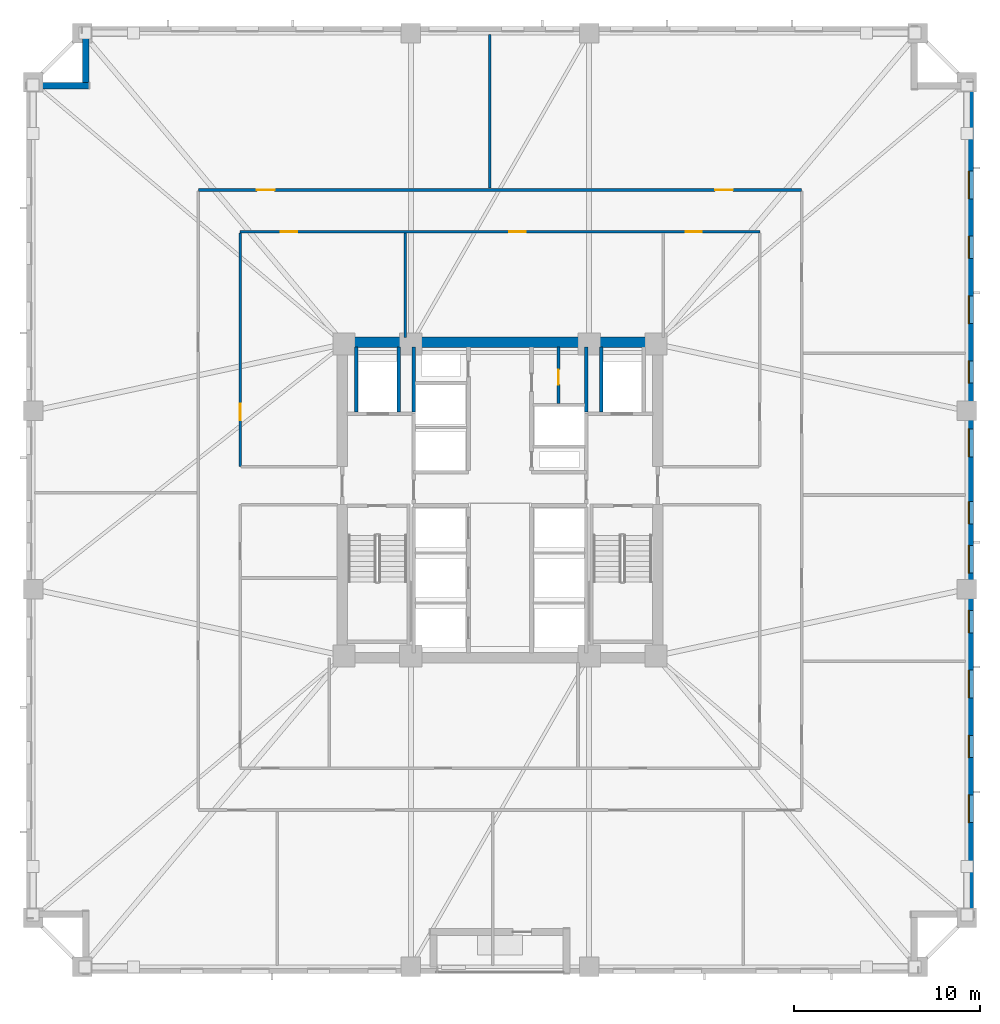
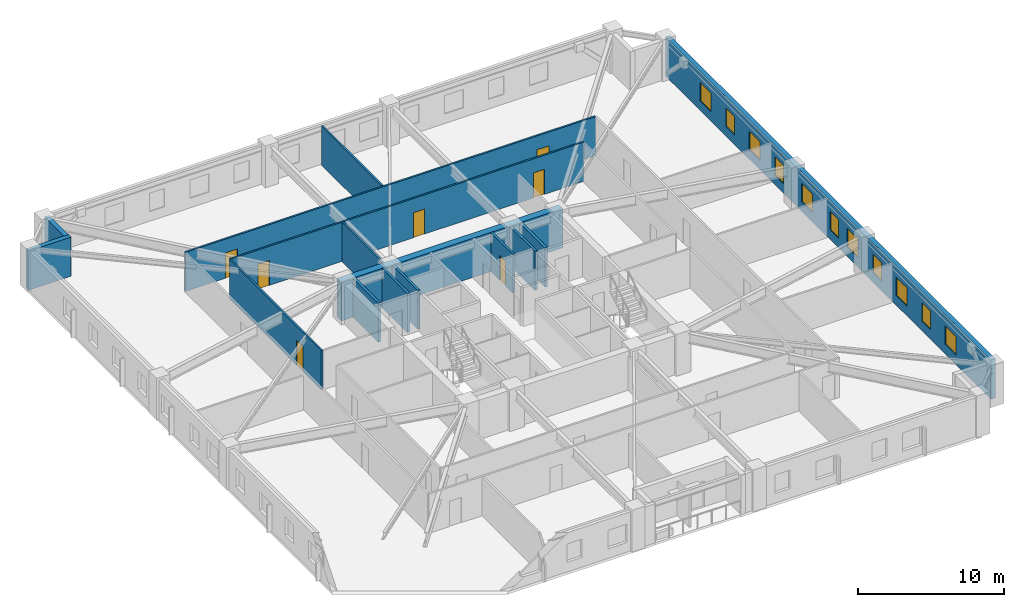
# One storey, part 5 of 11: 15 walls, 11 windows, 7 doors, 18 openings.
"""IFC4 building model written with IfcOpenShell, lengths in metres."""

from ifc_helpers import new_model, si_unit, direction, frame, frame_2d, origin, place, context, subcontext, project, spatial, rectangle, extrude, material, layer, layer_set, type_object, element, fill, save


model = new_model("IFC4")

# Units and contexts
model_context = context("Model", 3, precision=1e-05, world=origin(), true_north=direction((0.0, 1.0)))
body_context = subcontext(model_context, "Body", "Model", "MODEL_VIEW")
ifc_project = project(units=[si_unit("LENGTHUNIT", "METRE"), si_unit("AREAUNIT", "SQUARE_METRE"), si_unit("VOLUMEUNIT", "CUBIC_METRE"), si_unit("PLANEANGLEUNIT", "RADIAN"), si_unit("MASSUNIT", "GRAM", prefix="KILO")], contexts=[model_context])

# Site, building, storey
site_placement = place(None, origin())
site = spatial("IfcSite", under=ifc_project, at=site_placement, CompositionType="ELEMENT")
building_placement = place(site_placement, origin())
building = spatial("IfcBuilding", under=site, at=building_placement, Name="Cairnveth Concourse Tower", CompositionType="ELEMENT")
storey_placement = place(building_placement, frame((0.0, 0.0, 37.5)))
storey = spatial("IfcBuildingStorey", under=building, at=storey_placement, Name="L09", CompositionType="ELEMENT", Elevation=37.5)

# Wall, opening, door
ifc_material_1 = material(Name="Gypsum Plasterboard Partition", Category="gypsum")
ifc_layer_1 = layer(ifc_material_1, 0.159912109375)
ifc_layer_set_1 = layer_set([ifc_layer_1], Name="Gypsum Plasterboard Partition")
wall_type_1 = type_object("IfcWallType", Name="ACOUSTIC PARTY WALL 180", PredefinedType="PARTITIONING", material=ifc_layer_set_1)
wall_1_placement = place(storey_placement, frame((55.14990234375, 44.195068359375, 0.0), z_axis=(0.0, 0.0, 1.0), x_axis=(0.0, 1.0, 0.0)))
wall_1 = element("IfcWall", 1, at=wall_1_placement, inside=storey, type_object=wall_type_1, Name="Interior Wall IW-L09-037", PredefinedType="PARTITIONING", context=body_context, shape_type="SweptSolid", body=[
    extrude(rectangle(XDim=3.044921875, YDim=0.159912109375, at=frame_2d((1.5224609375, 0.0))), origin(), (0.0, 0.0, 1.0), 3.280029296875),
])
opening_1_placement = place(wall_1_placement, frame((1.02490234375, 0.0, 0.0)))
opening_1 = element("IfcOpeningElement", 2, at=opening_1_placement, cuts=wall_1, Name="Opening ID23", PredefinedType="OPENING", context=body_context, shape_type="SweptSolid", body=[
    extrude(rectangle(XDim=0.800048828125, YDim=2.10009765625, at=frame_2d((0.39990234375, 1.050048828125))), frame((0.0, 0.08984375, 0.0), z_axis=(0.0, -1.0, 0.0), x_axis=(1.0, 0.0, 0.0)), (0.0, 0.0, 1.0), 0.179931640625),
])
ifc_material_2 = material(Name="Steel Grade 350", Category="steel")
door_type_1 = type_object("IfcDoorType", Name="CORE SERVICE DOOR 800X2100", OperationType="NOTDEFINED", PredefinedType="DOOR", material=ifc_material_2)
door_1_placement = place(opening_1_placement, origin())
door_1 = element("IfcDoor", 3, at=door_1_placement, inside=storey, type_object=door_type_1, Name="NE Linen Closet Door L09", OperationType="SINGLE_SWING_LEFT", OverallHeight=2.10009765625, OverallWidth=0.800048828125, PredefinedType="DOOR", context=body_context, shape_type="SweptSolid", body=[
    extrude(rectangle(XDim=0.800048828125, YDim=2.10009765625, at=frame_2d((0.39990234375, 1.050048828125))), frame((0.0, 0.02490234375, 0.0), z_axis=(0.0, -1.0, 0.0), x_axis=(1.0, 0.0, 0.0)), (0.0, 0.0, 1.0), 0.050048828125),
])
fill(opening_1, door_1)

# Walls
ifc_material_3 = material(Name="Concrete N80 (80 MPa)", Category="concrete")
ifc_layer_2 = layer(ifc_material_3, 0.550048828125)
ifc_layer_set_2 = layer_set([ifc_layer_2], Name="Concrete N80 (80 MPa)")
wall_type_2 = type_object("IfcWallType", Name="CORE SHEAR WALL 550", PredefinedType="SHEAR", material=ifc_layer_set_2)
wall_2_placement = place(storey_placement, frame((43.22509765625, 47.5, 0.0), z_axis=(0.0, 0.0, 1.0), x_axis=(1.0, 0.0, 0.0)))
element("IfcWall", 4, at=wall_2_placement, inside=storey, type_object=wall_type_2, Name="Core North Shear Wall L09", PredefinedType="SHEAR", context=body_context, shape_type="SweptSolid", body=[
    extrude(rectangle(XDim=17.5498046875, YDim=0.550048828125, at=frame_2d((8.77490234375, 0.0))), origin(), (0.0, 0.0, 1.0), 3.280029296875),
])
ifc_material_4 = material(Name="Concrete N50 (50 MPa)", Category="concrete")
ifc_layer_3 = layer(ifc_material_4, 0.179931640625)
ifc_layer_set_3 = layer_set([ifc_layer_3], Name="Concrete N50 (50 MPa)")
wall_type_3 = type_object("IfcWallType", Name="FIRE SHAFT WALL 180", PredefinedType="SOLIDWALL", material=ifc_layer_set_3)
for number, where, z_axis, x_axis, name in (
    (5, (47.35009765625, 43.735107421875, 0.0), (0.0, 0.0, 1.0), (0.0, 1.0, 0.0), "Interior Wall IW-L09-031"),
    (6, (56.64990234375, 43.735107421875, 0.0), (0.0, 0.0, 1.0), (0.0, 1.0, 0.0), "Interior Wall IW-L09-034"),
):
    element("IfcWall", number, at=place(storey_placement, frame(where, z_axis=z_axis, x_axis=x_axis)), inside=storey, type_object=wall_type_3, Name=name, PredefinedType="SOLIDWALL", context=body_context, shape_type="SweptSolid", body=[
        extrude(rectangle(XDim=3.5048828125, YDim=0.179931640625, at=frame_2d((1.75244140625, 0.0))), origin(), (0.0, 0.0, 1.0), 3.280029296875),
    ])
ifc_layer_4 = layer(ifc_material_4, 0.199951171875)
ifc_layer_set_4 = layer_set([ifc_layer_4], Name="Concrete N50 (50 MPa)")
wall_type_4 = type_object("IfcWallType", Name="FIRE SHAFT WALL 200", PredefinedType="SOLIDWALL", material=ifc_layer_set_4)
for number, where, z_axis, x_axis, name in (
    (7, (46.550048828125, 43.735107421875, 0.0), (0.0, 0.0, 1.0), (0.0, 1.0, 0.0), "Interior Wall IW-L09-018"),
    (8, (44.25, 43.735107421875, 0.0), (0.0, 0.0, 1.0), (0.0, 1.0, 0.0), "Interior Wall IW-L09-019"),
    (9, (57.449951171875, 43.735107421875, 0.0), (0.0, 0.0, 1.0), (0.0, 1.0, 0.0), "Interior Wall IW-L09-023"),
):
    element("IfcWall", number, at=place(storey_placement, frame(where, z_axis=z_axis, x_axis=x_axis)), inside=storey, type_object=wall_type_4, Name=name, PredefinedType="SOLIDWALL", context=body_context, shape_type="SweptSolid", body=[
        extrude(rectangle(XDim=3.5048828125, YDim=0.199951171875, at=frame_2d((1.75244140625, 0.0))), origin(), (0.0, 0.0, 1.0), 3.280029296875),
    ])

# Wall, openings, doors
ifc_layer_5 = layer(ifc_material_1, 0.139892578125)
ifc_layer_set_5 = layer_set([ifc_layer_5], Name="Gypsum Plasterboard Partition")
wall_type_5 = type_object("IfcWallType", Name="GYPSUM STUD PARTITION 140", PredefinedType="PARTITIONING", material=ifc_layer_set_5)
wall_3_placement = place(storey_placement, frame((35.75, 55.699951171875, 0.0), z_axis=(0.0, 0.0, 1.0), x_axis=(1.0, 0.0, 0.0)))
wall_3 = element("IfcWall", 10, at=wall_3_placement, inside=storey, type_object=wall_type_5, Name="Interior Wall IW-L09-039", PredefinedType="PARTITIONING", context=body_context, shape_type="SweptSolid", body=[
    extrude(rectangle(XDim=32.5, YDim=0.139892578125, at=frame_2d((16.25, 0.0))), origin(), (0.0, 0.0, 1.0), 3.280029296875),
])
opening_2_placement = place(wall_3_placement, frame((3.15380859375, 0.0, 0.0)))
opening_2 = element("IfcOpeningElement", 11, at=opening_2_placement, cuts=wall_3, Name="Opening ID11", PredefinedType="OPENING", context=body_context, shape_type="SweptSolid", body=[
    extrude(rectangle(XDim=0.9599609375, YDim=2.1201171875, at=frame_2d((0.47998046875, 1.06005859375))), frame((0.0, 0.079833984375, 0.0), z_axis=(0.0, -1.0, 0.0), x_axis=(1.0, 0.0, 0.0)), (0.0, 0.0, 1.0), 0.159912109375),
])
opening_3_placement = place(wall_3_placement, frame((27.833740234375, 0.0, 0.0)))
opening_3 = element("IfcOpeningElement", 12, at=opening_3_placement, cuts=wall_3, Name="Opening ID11", PredefinedType="OPENING", context=body_context, shape_type="SweptSolid", body=[
    extrude(rectangle(XDim=0.9599609375, YDim=2.1201171875, at=frame_2d((0.47998046875, 1.06005859375))), frame((0.0, 0.079833984375, 0.0), z_axis=(0.0, -1.0, 0.0), x_axis=(1.0, 0.0, 0.0)), (0.0, 0.0, 1.0), 0.159912109375),
])
ifc_material_5 = material(Name="Solid Core Hardwood Timber Leaf", Category="wood")
door_type_2 = type_object("IfcDoorType", Name="INTERIOR SINGLE DOOR 960X2150", OperationType="NOTDEFINED", PredefinedType="DOOR", material=ifc_material_5)
door_2_placement = place(opening_2_placement, origin())
door_2 = element("IfcDoor", 13, at=door_2_placement, inside=storey, type_object=door_type_2, Name="Office Door L09-N1", OperationType="SINGLE_SWING_LEFT", OverallHeight=2.1201171875, OverallWidth=0.9599609375, PredefinedType="DOOR", context=body_context, shape_type="SweptSolid", body=[
    extrude(rectangle(XDim=0.9599609375, YDim=2.1201171875, at=frame_2d((0.47998046875, 1.06005859375))), frame((0.0, 0.02490234375, 0.0), z_axis=(0.0, -1.0, 0.0), x_axis=(1.0, 0.0, 0.0)), (0.0, 0.0, 1.0), 0.050048828125),
])
fill(opening_2, door_2)
door_3_placement = place(opening_3_placement, origin())
door_3 = element("IfcDoor", 14, at=door_3_placement, inside=storey, type_object=door_type_2, Name="Office Door L09-N2", OperationType="SINGLE_SWING_RIGHT", OverallHeight=2.1201171875, OverallWidth=0.9599609375, PredefinedType="DOOR", context=body_context, shape_type="SweptSolid", body=[
    extrude(rectangle(XDim=0.9599609375, YDim=2.1201171875, at=frame_2d((0.47998046875, 1.06005859375))), frame((0.0, 0.02490234375, 0.0), z_axis=(0.0, -1.0, 0.0), x_axis=(1.0, 0.0, 0.0)), (0.0, 0.0, 1.0), 0.050048828125),
])
fill(opening_3, door_3)

wall_4_placement = place(storey_placement, frame((38.0, 53.449951171875, 0.0), z_axis=(0.0, 0.0, 1.0), x_axis=(1.0, 0.0, 0.0)))
wall_4 = element("IfcWall", 15, at=wall_4_placement, inside=storey, type_object=wall_type_5, Name="Interior Wall IW-L09-043", PredefinedType="PARTITIONING", context=body_context, shape_type="SweptSolid", body=[
    extrude(rectangle(XDim=28.0, YDim=0.139892578125, at=frame_2d((14.0, 0.0))), origin(), (0.0, 0.0, 1.0), 3.280029296875),
])
opening_4_placement = place(wall_4_placement, frame((2.199951171875, 0.0, 0.0)))
opening_4 = element("IfcOpeningElement", 16, at=opening_4_placement, cuts=wall_4, Name="Opening ID18", PredefinedType="OPENING", context=body_context, shape_type="SweptSolid", body=[
    extrude(rectangle(XDim=0.8798828125, YDim=2.10009765625, at=frame_2d((0.43994140625, 1.050048828125))), frame((0.0, 0.079833984375, 0.0), z_axis=(0.0, -1.0, 0.0), x_axis=(1.0, 0.0, 0.0)), (0.0, 0.0, 1.0), 0.159912109375),
])
opening_5_placement = place(wall_4_placement, frame((14.5, 0.0, 0.0)))
opening_5 = element("IfcOpeningElement", 17, at=opening_5_placement, cuts=wall_4, Name="Opening ID18", PredefinedType="OPENING", context=body_context, shape_type="SweptSolid", body=[
    extrude(rectangle(XDim=0.8798828125, YDim=2.10009765625, at=frame_2d((0.43994140625, 1.050048828125))), frame((0.0, 0.079833984375, 0.0), z_axis=(0.0, -1.0, 0.0), x_axis=(1.0, 0.0, 0.0)), (0.0, 0.0, 1.0), 0.159912109375),
])
opening_6_placement = place(wall_4_placement, frame((24.0, 0.0, 0.0)))
opening_6 = element("IfcOpeningElement", 18, at=opening_6_placement, cuts=wall_4, Name="Opening ID18", PredefinedType="OPENING", context=body_context, shape_type="SweptSolid", body=[
    extrude(rectangle(XDim=0.8798828125, YDim=2.10009765625, at=frame_2d((0.43994140625, 1.050048828125))), frame((0.0, 0.079833984375, 0.0), z_axis=(0.0, -1.0, 0.0), x_axis=(1.0, 0.0, 0.0)), (0.0, 0.0, 1.0), 0.159912109375),
])
door_type_3 = type_object("IfcDoorType", Name="INTERIOR SINGLE DOOR 880X2100", OperationType="NOTDEFINED", PredefinedType="DOOR", material=ifc_material_5)
door_4_placement = place(opening_4_placement, origin())
door_4 = element("IfcDoor", 19, at=door_4_placement, inside=storey, type_object=door_type_3, Name="Interior Door DR-L09-017", OperationType="SINGLE_SWING_LEFT", OverallHeight=2.10009765625, OverallWidth=0.8798828125, PredefinedType="DOOR", context=body_context, shape_type="SweptSolid", body=[
    extrude(rectangle(XDim=0.8798828125, YDim=2.10009765625, at=frame_2d((0.43994140625, 1.050048828125))), frame((0.0, 0.02490234375, 0.0), z_axis=(0.0, -1.0, 0.0), x_axis=(1.0, 0.0, 0.0)), (0.0, 0.0, 1.0), 0.050048828125),
])
fill(opening_4, door_4)
door_5_placement = place(opening_5_placement, origin())
door_5 = element("IfcDoor", 20, at=door_5_placement, inside=storey, type_object=door_type_3, Name="Interior Door DR-L09-018", OperationType="SINGLE_SWING_RIGHT", OverallHeight=2.10009765625, OverallWidth=0.8798828125, PredefinedType="DOOR", context=body_context, shape_type="SweptSolid", body=[
    extrude(rectangle(XDim=0.8798828125, YDim=2.10009765625, at=frame_2d((0.43994140625, 1.050048828125))), frame((0.0, 0.02490234375, 0.0), z_axis=(0.0, -1.0, 0.0), x_axis=(1.0, 0.0, 0.0)), (0.0, 0.0, 1.0), 0.050048828125),
])
fill(opening_5, door_5)
door_6_placement = place(opening_6_placement, origin())
door_6 = element("IfcDoor", 21, at=door_6_placement, inside=storey, type_object=door_type_3, Name="Interior Door DR-L09-019", OperationType="SINGLE_SWING_LEFT", OverallHeight=2.10009765625, OverallWidth=0.8798828125, PredefinedType="DOOR", context=body_context, shape_type="SweptSolid", body=[
    extrude(rectangle(XDim=0.8798828125, YDim=2.10009765625, at=frame_2d((0.43994140625, 1.050048828125))), frame((0.0, 0.02490234375, 0.0), z_axis=(0.0, -1.0, 0.0), x_axis=(1.0, 0.0, 0.0)), (0.0, 0.0, 1.0), 0.050048828125),
])
fill(opening_6, door_6)

# Wall, opening, door
wall_5_placement = place(storey_placement, frame((38.0, 40.800048828125, 0.0), z_axis=(0.0, 0.0, 1.0), x_axis=(0.0, 1.0, 0.0)))
wall_5 = element("IfcWall", 22, at=wall_5_placement, inside=storey, type_object=wall_type_5, Name="Interior Wall IW-L09-045", PredefinedType="PARTITIONING", context=body_context, shape_type="SweptSolid", body=[
    extrude(rectangle(XDim=12.594970703125, YDim=0.139892578125, at=frame_2d((6.29736328125, 0.0))), origin(), (0.0, 0.0, 1.0), 3.280029296875),
])
opening_7_placement = place(wall_5_placement, frame((2.5, 0.0, 0.0)))
opening_7 = element("IfcOpeningElement", 23, at=opening_7_placement, cuts=wall_5, Name="Opening ID18", PredefinedType="OPENING", context=body_context, shape_type="SweptSolid", body=[
    extrude(rectangle(XDim=0.8798828125, YDim=2.10009765625, at=frame_2d((0.43994140625, 1.050048828125))), frame((0.0, 0.079833984375, 0.0), z_axis=(0.0, -1.0, 0.0), x_axis=(1.0, 0.0, 0.0)), (0.0, 0.0, 1.0), 0.159912109375),
])
door_7_placement = place(opening_7_placement, origin())
door_7 = element("IfcDoor", 24, at=door_7_placement, inside=storey, type_object=door_type_3, Name="Interior Door DR-L09-022", OperationType="SINGLE_SWING_RIGHT", OverallHeight=2.10009765625, OverallWidth=0.8798828125, PredefinedType="DOOR", context=body_context, shape_type="SweptSolid", body=[
    extrude(rectangle(XDim=0.8798828125, YDim=2.10009765625, at=frame_2d((0.43994140625, 1.050048828125))), frame((0.0, 0.02490234375, 0.0), z_axis=(0.0, -1.0, 0.0), x_axis=(1.0, 0.0, 0.0)), (0.0, 0.0, 1.0), 0.050048828125),
])
fill(opening_7, door_7)

# Walls
wall_6_placement = place(storey_placement, frame((46.89990234375, 47.760009765625, 0.0), z_axis=(0.0, 0.0, 1.0), x_axis=(0.0, 1.0, 0.0)))
element("IfcWall", 25, at=wall_6_placement, inside=storey, type_object=wall_type_5, Name="Interior Wall IW-L09-054", PredefinedType="PARTITIONING", context=body_context, shape_type="SweptSolid", body=[
    extrude(rectangle(XDim=5.635009765625, YDim=0.139892578125, at=frame_2d((2.8173828125, 0.0))), origin(), (0.0, 0.0, 1.0), 3.280029296875),
])
wall_7_placement = place(storey_placement, frame((51.447509765625, 55.800048828125, 0.0), z_axis=(0.0, 0.0, 1.0), x_axis=(0.0, 1.0, 0.0)))
element("IfcWall", 26, at=wall_7_placement, inside=storey, type_object=wall_type_5, Name="Interior Wall IW-L09-060", PredefinedType="PARTITIONING", context=body_context, shape_type="SweptSolid", body=[
    extrude(rectangle(XDim=8.280029296875, YDim=0.139892578125, at=frame_2d((4.14013671875, 0.0))), origin(), (0.0, 0.0, 1.0), 3.280029296875),
])
ifc_material_6 = material(Name="Hawthorn Red-Ochre Fired Clay Brick Masonry", Category="masonry")
ifc_layer_6 = layer(ifc_material_6, 0.360107421875)
ifc_layer_set_6 = layer_set([ifc_layer_6], Name="Hawthorn Red-Ochre Fired Clay Brick Masonry")
wall_type_6 = type_object("IfcWallType", Name="ZONE 1 BRICK PIER SPANDREL WALL 360", PredefinedType="SOLIDWALL", material=ifc_layer_set_6)
wall_8_placement = place(storey_placement, frame((26.5, 61.320068359375, 0.0), z_axis=(0.0, 0.0, 1.0), x_axis=(1.0, 0.0, 0.0)))
element("IfcWall", 27, at=wall_8_placement, inside=storey, type_object=wall_type_6, Name="Exterior Wall EW-L09-S04", PredefinedType="SOLIDWALL", context=body_context, shape_type="SweptSolid", body=[
    extrude(rectangle(XDim=3.360107421875, YDim=0.360107421875, at=frame_2d((1.68017578125, 0.0))), origin(), (0.0, 0.0, 1.0), 3.280029296875),
])
wall_9_placement = place(storey_placement, frame((29.679931640625, 61.47802734375, 0.0), z_axis=(0.0, 0.0, 1.0), x_axis=(0.0, 1.0, 0.0)))
element("IfcWall", 28, at=wall_9_placement, inside=storey, type_object=wall_type_6, Name="Exterior Wall EW-L09-S05", PredefinedType="SOLIDWALL", context=body_context, shape_type="SweptSolid", body=[
    extrude(rectangle(XDim=2.68408203125, YDim=0.360107421875, at=frame_2d((1.342041015625, 0.0))), origin(), (0.0, 0.0, 1.0), 3.280029296875),
])

# Wall, openings, windows
wall_10_placement = place(storey_placement, frame((77.320068359375, 61.5, 0.0), z_axis=(0.0, 0.0, 1.0), x_axis=(0.0, -1.0, 0.0)))
wall_10 = element("IfcWall", 29, at=wall_10_placement, inside=storey, type_object=wall_type_6, Name="Exterior Wall EW-L09-S09", PredefinedType="SOLIDWALL", context=body_context, shape_type="SweptSolid", body=[
    extrude(rectangle(XDim=44.662109375, YDim=0.360107421875, at=frame_2d((22.3310546875, 0.0))), origin(), (0.0, 0.0, 1.0), 3.280029296875),
])
opening_8_placement = place(wall_10_placement, frame((4.780029296875, 0.0, 0.800048828125)))
opening_8 = element("IfcOpeningElement", 30, at=opening_8_placement, cuts=wall_10, Name="Opening W03", PredefinedType="OPENING", context=body_context, shape_type="SweptSolid", body=[
    extrude(rectangle(XDim=1.5, YDim=1.5439453125, at=frame_2d((0.75, 0.77197265625))), frame((0.0, 0.18994140625, 0.0), z_axis=(0.0, -1.0, 0.0), x_axis=(1.0, 0.0, 0.0)), (0.0, 0.0, 1.0), 0.380126953125),
])
opening_9_placement = place(wall_10_placement, frame((8.290283203125, 0.0, 0.800048828125)))
opening_9 = element("IfcOpeningElement", 31, at=opening_9_placement, cuts=wall_10, Name="Opening W01", PredefinedType="OPENING", context=body_context, shape_type="SweptSolid", body=[
    extrude(rectangle(XDim=1.199951171875, YDim=1.5439453125, at=frame_2d((0.60009765625, 0.77197265625))), frame((0.0, 0.18994140625, 0.0), z_axis=(0.0, -1.0, 0.0), x_axis=(1.0, 0.0, 0.0)), (0.0, 0.0, 1.0), 0.380126953125),
])
opening_10_placement = place(wall_10_placement, frame((11.50048828125, 0.0, 0.800048828125)))
opening_10 = element("IfcOpeningElement", 32, at=opening_10_placement, cuts=wall_10, Name="Opening W03", PredefinedType="OPENING", context=body_context, shape_type="SweptSolid", body=[
    extrude(rectangle(XDim=1.5, YDim=1.5439453125, at=frame_2d((0.75, 0.77197265625))), frame((0.0, 0.18994140625, 0.0), z_axis=(0.0, -1.0, 0.0), x_axis=(1.0, 0.0, 0.0)), (0.0, 0.0, 1.0), 0.380126953125),
])
opening_11_placement = place(wall_10_placement, frame((15.010498046875, 0.0, 0.800048828125)))
opening_11 = element("IfcOpeningElement", 33, at=opening_11_placement, cuts=wall_10, Name="Opening W01", PredefinedType="OPENING", context=body_context, shape_type="SweptSolid", body=[
    extrude(rectangle(XDim=1.199951171875, YDim=1.5439453125, at=frame_2d((0.60009765625, 0.77197265625))), frame((0.0, 0.18994140625, 0.0), z_axis=(0.0, -1.0, 0.0), x_axis=(1.0, 0.0, 0.0)), (0.0, 0.0, 1.0), 0.380126953125),
])
opening_12_placement = place(wall_10_placement, frame((18.6708984375, 0.0, 0.800048828125)))
opening_12 = element("IfcOpeningElement", 34, at=opening_12_placement, cuts=wall_10, Name="Opening W03", PredefinedType="OPENING", context=body_context, shape_type="SweptSolid", body=[
    extrude(rectangle(XDim=1.5, YDim=1.5439453125, at=frame_2d((0.75, 0.77197265625))), frame((0.0, 0.18994140625, 0.0), z_axis=(0.0, -1.0, 0.0), x_axis=(1.0, 0.0, 0.0)), (0.0, 0.0, 1.0), 0.380126953125),
])
opening_13_placement = place(wall_10_placement, frame((22.5810546875, 0.0, 0.800048828125)))
opening_13 = element("IfcOpeningElement", 35, at=opening_13_placement, cuts=wall_10, Name="Opening W01", PredefinedType="OPENING", context=body_context, shape_type="SweptSolid", body=[
    extrude(rectangle(XDim=1.199951171875, YDim=1.5439453125, at=frame_2d((0.60009765625, 0.77197265625))), frame((0.0, 0.18994140625, 0.0), z_axis=(0.0, -1.0, 0.0), x_axis=(1.0, 0.0, 0.0)), (0.0, 0.0, 1.0), 0.380126953125),
])
opening_14_placement = place(wall_10_placement, frame((24.941162109375, 0.0, 0.800048828125)))
opening_14 = element("IfcOpeningElement", 36, at=opening_14_placement, cuts=wall_10, Name="Opening W03", PredefinedType="OPENING", context=body_context, shape_type="SweptSolid", body=[
    extrude(rectangle(XDim=1.5, YDim=1.5439453125, at=frame_2d((0.75, 0.77197265625))), frame((0.0, 0.18994140625, 0.0), z_axis=(0.0, -1.0, 0.0), x_axis=(1.0, 0.0, 0.0)), (0.0, 0.0, 1.0), 0.380126953125),
])
opening_15_placement = place(wall_10_placement, frame((28.451416015625, 0.0, 0.800048828125)))
opening_15 = element("IfcOpeningElement", 37, at=opening_15_placement, cuts=wall_10, Name="Opening W01", PredefinedType="OPENING", context=body_context, shape_type="SweptSolid", body=[
    extrude(rectangle(XDim=1.199951171875, YDim=1.5439453125, at=frame_2d((0.60009765625, 0.77197265625))), frame((0.0, 0.18994140625, 0.0), z_axis=(0.0, -1.0, 0.0), x_axis=(1.0, 0.0, 0.0)), (0.0, 0.0, 1.0), 0.380126953125),
])
opening_16_placement = place(wall_10_placement, frame((31.66162109375, 0.0, 0.800048828125)))
opening_16 = element("IfcOpeningElement", 38, at=opening_16_placement, cuts=wall_10, Name="Opening W03", PredefinedType="OPENING", context=body_context, shape_type="SweptSolid", body=[
    extrude(rectangle(XDim=1.5, YDim=1.5439453125, at=frame_2d((0.75, 0.77197265625))), frame((0.0, 0.18994140625, 0.0), z_axis=(0.0, -1.0, 0.0), x_axis=(1.0, 0.0, 0.0)), (0.0, 0.0, 1.0), 0.380126953125),
])
opening_17_placement = place(wall_10_placement, frame((35.171630859375, 0.0, 0.800048828125)))
opening_17 = element("IfcOpeningElement", 39, at=opening_17_placement, cuts=wall_10, Name="Opening W01", PredefinedType="OPENING", context=body_context, shape_type="SweptSolid", body=[
    extrude(rectangle(XDim=1.199951171875, YDim=1.5439453125, at=frame_2d((0.60009765625, 0.77197265625))), frame((0.0, 0.18994140625, 0.0), z_axis=(0.0, -1.0, 0.0), x_axis=(1.0, 0.0, 0.0)), (0.0, 0.0, 1.0), 0.380126953125),
])
opening_18_placement = place(wall_10_placement, frame((38.3818359375, 0.0, 0.800048828125)))
opening_18 = element("IfcOpeningElement", 40, at=opening_18_placement, cuts=wall_10, Name="Opening W03", PredefinedType="OPENING", context=body_context, shape_type="SweptSolid", body=[
    extrude(rectangle(XDim=1.5, YDim=1.5439453125, at=frame_2d((0.75, 0.77197265625))), frame((0.0, 0.18994140625, 0.0), z_axis=(0.0, -1.0, 0.0), x_axis=(1.0, 0.0, 0.0)), (0.0, 0.0, 1.0), 0.380126953125),
])
ifc_material_7 = material(Name="Double Glazed Low-E Clear Glass", Category="glass")
window_type_1 = type_object("IfcWindowType", Name="DEEP-SET GOTHIC LANCET WINDOW 1200X1800", PartitioningType="DOUBLE_PANEL_VERTICAL", PredefinedType="WINDOW", material=ifc_material_7)
window_1_placement = place(opening_9_placement, origin())
window_1 = element("IfcWindow", 41, at=window_1_placement, inside=storey, type_object=window_type_1, Name="Gothic Lancet Window L09-9-2", OverallHeight=1.5439453125, OverallWidth=1.199951171875, PartitioningType="SINGLE_PANEL", PredefinedType="WINDOW", context=body_context, shape_type="SweptSolid", body=[
    extrude(rectangle(XDim=1.199951171875, YDim=1.5439453125, at=frame_2d((0.60009765625, 0.77197265625))), frame((0.0, -0.050048828125, 0.0), z_axis=(0.0, -1.0, 0.0), x_axis=(1.0, 0.0, 0.0)), (0.0, 0.0, 1.0), 0.06005859375),
])
fill(opening_9, window_1)
window_2_placement = place(opening_11_placement, origin())
window_2 = element("IfcWindow", 42, at=window_2_placement, inside=storey, type_object=window_type_1, Name="Gothic Lancet Window L09-9-4", OverallHeight=1.5439453125, OverallWidth=1.199951171875, PartitioningType="SINGLE_PANEL", PredefinedType="WINDOW", context=body_context, shape_type="SweptSolid", body=[
    extrude(rectangle(XDim=1.199951171875, YDim=1.5439453125, at=frame_2d((0.60009765625, 0.77197265625))), frame((0.0, -0.050048828125, 0.0), z_axis=(0.0, -1.0, 0.0), x_axis=(1.0, 0.0, 0.0)), (0.0, 0.0, 1.0), 0.06005859375),
])
fill(opening_11, window_2)
window_3_placement = place(opening_13_placement, origin())
window_3 = element("IfcWindow", 43, at=window_3_placement, inside=storey, type_object=window_type_1, Name="Gothic Lancet Window L09-9-6", OverallHeight=1.5439453125, OverallWidth=1.199951171875, PartitioningType="SINGLE_PANEL", PredefinedType="WINDOW", context=body_context, shape_type="SweptSolid", body=[
    extrude(rectangle(XDim=1.199951171875, YDim=1.5439453125, at=frame_2d((0.60009765625, 0.77197265625))), frame((0.0, -0.050048828125, 0.0), z_axis=(0.0, -1.0, 0.0), x_axis=(1.0, 0.0, 0.0)), (0.0, 0.0, 1.0), 0.06005859375),
])
fill(opening_13, window_3)
window_4_placement = place(opening_15_placement, origin())
window_4 = element("IfcWindow", 44, at=window_4_placement, inside=storey, type_object=window_type_1, Name="Gothic Lancet Window L09-9-8", OverallHeight=1.5439453125, OverallWidth=1.199951171875, PartitioningType="SINGLE_PANEL", PredefinedType="WINDOW", context=body_context, shape_type="SweptSolid", body=[
    extrude(rectangle(XDim=1.199951171875, YDim=1.5439453125, at=frame_2d((0.60009765625, 0.77197265625))), frame((0.0, -0.050048828125, 0.0), z_axis=(0.0, -1.0, 0.0), x_axis=(1.0, 0.0, 0.0)), (0.0, 0.0, 1.0), 0.06005859375),
])
fill(opening_15, window_4)
window_5_placement = place(opening_17_placement, origin())
window_5 = element("IfcWindow", 45, at=window_5_placement, inside=storey, type_object=window_type_1, Name="Gothic Lancet Window L09-9-10", OverallHeight=1.5439453125, OverallWidth=1.199951171875, PartitioningType="SINGLE_PANEL", PredefinedType="WINDOW", context=body_context, shape_type="SweptSolid", body=[
    extrude(rectangle(XDim=1.199951171875, YDim=1.5439453125, at=frame_2d((0.60009765625, 0.77197265625))), frame((0.0, -0.050048828125, 0.0), z_axis=(0.0, -1.0, 0.0), x_axis=(1.0, 0.0, 0.0)), (0.0, 0.0, 1.0), 0.06005859375),
])
fill(opening_17, window_5)
window_type_2 = type_object("IfcWindowType", Name="DEEP-SET GOTHIC LANCET WINDOW 1500X1800", PartitioningType="DOUBLE_PANEL_VERTICAL", PredefinedType="WINDOW", material=ifc_material_7)
window_6_placement = place(opening_8_placement, origin())
window_6 = element("IfcWindow", 46, at=window_6_placement, inside=storey, type_object=window_type_2, Name="Gothic Lancet Window L09-9-1", OverallHeight=1.5439453125, OverallWidth=1.5, PartitioningType="SINGLE_PANEL", PredefinedType="WINDOW", context=body_context, shape_type="SweptSolid", body=[
    extrude(rectangle(XDim=1.5, YDim=1.5439453125, at=frame_2d((0.75, 0.77197265625))), frame((0.0, -0.050048828125, 0.0), z_axis=(0.0, -1.0, 0.0), x_axis=(1.0, 0.0, 0.0)), (0.0, 0.0, 1.0), 0.06005859375),
])
fill(opening_8, window_6)
window_7_placement = place(opening_10_placement, origin())
window_7 = element("IfcWindow", 47, at=window_7_placement, inside=storey, type_object=window_type_2, Name="Gothic Lancet Window L09-9-3", OverallHeight=1.5439453125, OverallWidth=1.5, PartitioningType="SINGLE_PANEL", PredefinedType="WINDOW", context=body_context, shape_type="SweptSolid", body=[
    extrude(rectangle(XDim=1.5, YDim=1.5439453125, at=frame_2d((0.75, 0.77197265625))), frame((0.0, -0.050048828125, 0.0), z_axis=(0.0, -1.0, 0.0), x_axis=(1.0, 0.0, 0.0)), (0.0, 0.0, 1.0), 0.06005859375),
])
fill(opening_10, window_7)
window_8_placement = place(opening_12_placement, origin())
window_8 = element("IfcWindow", 48, at=window_8_placement, inside=storey, type_object=window_type_2, Name="Gothic Lancet Window L09-9-5", OverallHeight=1.5439453125, OverallWidth=1.5, PartitioningType="SINGLE_PANEL", PredefinedType="WINDOW", context=body_context, shape_type="SweptSolid", body=[
    extrude(rectangle(XDim=1.5, YDim=1.5439453125, at=frame_2d((0.75, 0.77197265625))), frame((0.0, -0.050048828125, 0.0), z_axis=(0.0, -1.0, 0.0), x_axis=(1.0, 0.0, 0.0)), (0.0, 0.0, 1.0), 0.06005859375),
])
fill(opening_12, window_8)
window_9_placement = place(opening_14_placement, origin())
window_9 = element("IfcWindow", 49, at=window_9_placement, inside=storey, type_object=window_type_2, Name="Gothic Lancet Window L09-9-7", OverallHeight=1.5439453125, OverallWidth=1.5, PartitioningType="SINGLE_PANEL", PredefinedType="WINDOW", context=body_context, shape_type="SweptSolid", body=[
    extrude(rectangle(XDim=1.5, YDim=1.5439453125, at=frame_2d((0.75, 0.77197265625))), frame((0.0, -0.050048828125, 0.0), z_axis=(0.0, -1.0, 0.0), x_axis=(1.0, 0.0, 0.0)), (0.0, 0.0, 1.0), 0.06005859375),
])
fill(opening_14, window_9)
window_10_placement = place(opening_16_placement, origin())
window_10 = element("IfcWindow", 50, at=window_10_placement, inside=storey, type_object=window_type_2, Name="Gothic Lancet Window L09-9-9", OverallHeight=1.5439453125, OverallWidth=1.5, PartitioningType="SINGLE_PANEL", PredefinedType="WINDOW", context=body_context, shape_type="SweptSolid", body=[
    extrude(rectangle(XDim=1.5, YDim=1.5439453125, at=frame_2d((0.75, 0.77197265625))), frame((0.0, -0.050048828125, 0.0), z_axis=(0.0, -1.0, 0.0), x_axis=(1.0, 0.0, 0.0)), (0.0, 0.0, 1.0), 0.06005859375),
])
fill(opening_16, window_10)
window_11_placement = place(opening_18_placement, origin())
window_11 = element("IfcWindow", 51, at=window_11_placement, inside=storey, type_object=window_type_2, Name="Gothic Lancet Window L09-9-11", OverallHeight=1.5439453125, OverallWidth=1.5, PartitioningType="SINGLE_PANEL", PredefinedType="WINDOW", context=body_context, shape_type="SweptSolid", body=[
    extrude(rectangle(XDim=1.5, YDim=1.5439453125, at=frame_2d((0.75, 0.77197265625))), frame((0.0, -0.050048828125, 0.0), z_axis=(0.0, -1.0, 0.0), x_axis=(1.0, 0.0, 0.0)), (0.0, 0.0, 1.0), 0.06005859375),
])
fill(opening_18, window_11)

save(model, "model.ifc")
